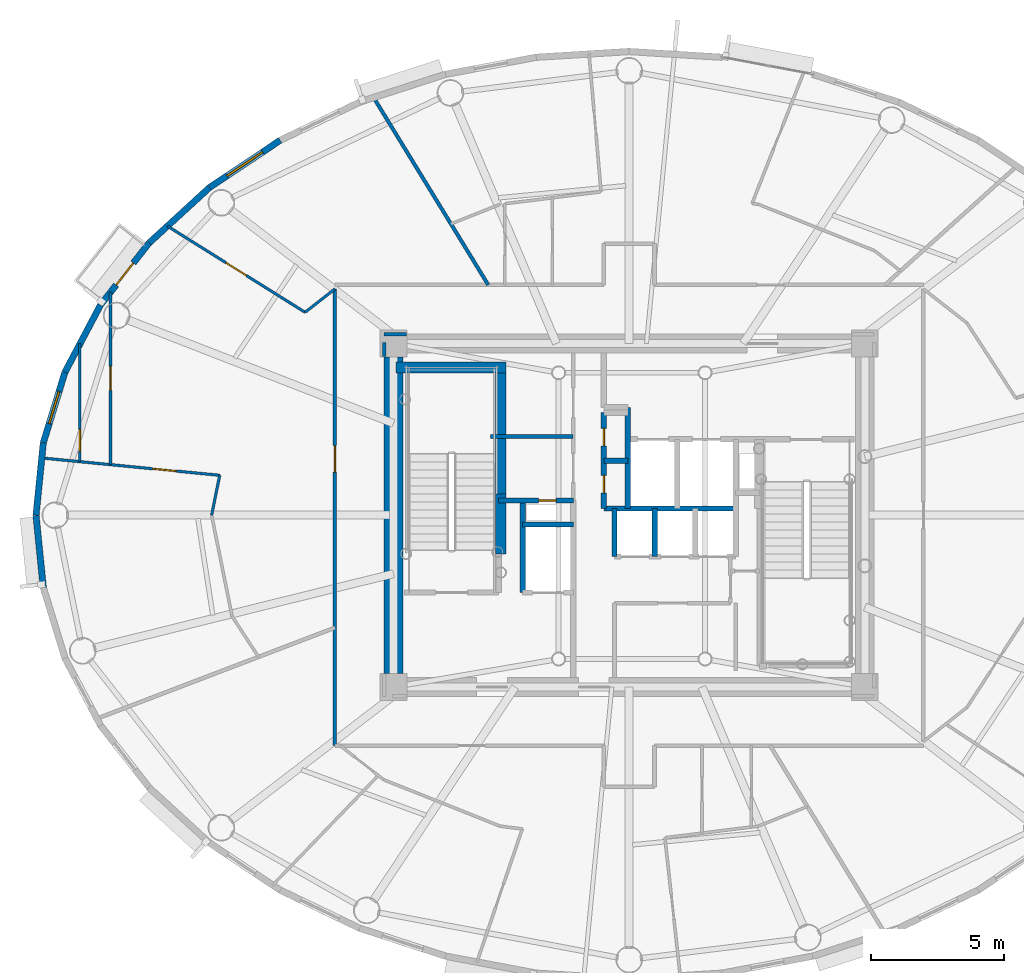
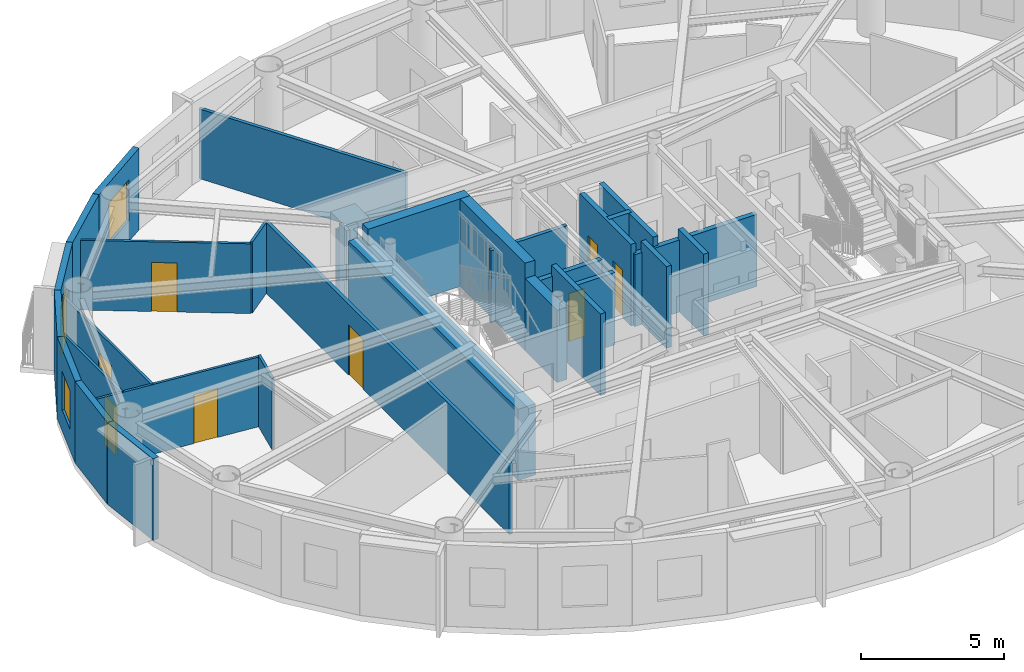
# One storey, part 7 of 17: 31 walls, 9 doors, 2 windows, 11 openings.
"""IFC4 building model written with IfcOpenShell, lengths in metres."""

from ifc_helpers import new_model, si_unit, direction, frame, frame_2d, origin, origin_2d, place, context, subcontext, project, spatial, rectangle, extrude, source, transform, mapped, material, layer, layer_set, type_object, element, fill, save


model = new_model("IFC4")

# Units and contexts
model_context = context("Model", 3, precision=1e-05, world=origin(), true_north=direction((0.0, 1.0)))
body_context = subcontext(model_context, "Body", "Model", "MODEL_VIEW")
ifc_project = project(units=[si_unit("LENGTHUNIT", "METRE"), si_unit("AREAUNIT", "SQUARE_METRE"), si_unit("VOLUMEUNIT", "CUBIC_METRE"), si_unit("PLANEANGLEUNIT", "RADIAN"), si_unit("MASSUNIT", "GRAM", prefix="KILO")], contexts=[model_context])

# Site, building, storey
site_placement = place(None, origin())
site = spatial("IfcSite", under=ifc_project, at=site_placement, CompositionType="ELEMENT")
building_placement = place(site_placement, origin())
building = spatial("IfcBuilding", under=site, at=building_placement, Name="Linh Dai School and Residence Tower", CompositionType="ELEMENT")
storey_placement = place(building_placement, frame((0.0, 0.0, 284.25)))
storey = spatial("IfcBuildingStorey", under=building, at=storey_placement, Name="L70", CompositionType="ELEMENT", Elevation=284.25)

# Wall, opening, window
ifc_material_1 = material(Name="Precast Concrete B45 (C35/45)", Category="concrete")
ifc_layer_1 = layer(ifc_material_1, 0.239990234375)
ifc_layer_set_1 = layer_set([ifc_layer_1], Name="Precast Concrete B45 (C35/45)")
wall_type_1 = type_object("IfcWallType", Name="EW-TC-240", PredefinedType="SOLIDWALL", material=ifc_layer_set_1)
wall_1_placement = place(storey_placement, frame((20.23779296875, 39.30419921875, 0.0), z_axis=(0.0, 0.0, 1.0), x_axis=(0.831250592635, 0.55589787933, 0.0)))
wall_1 = element("IfcWall", 1, at=wall_1_placement, inside=storey, type_object=wall_type_1, Name="L70 Terracotta Exterior Wall 15", PredefinedType="SOLIDWALL", context=body_context, shape_type="SweptSolid", body=[
    extrude(rectangle(XDim=3.197265625, YDim=0.239990234375, at=frame_2d((1.5986328125, 0.0))), origin(), (0.0, 0.0, 1.0), 3.5),
])
opening_1_placement = place(wall_1_placement, frame((0.798583984375, 0.0, 0.89990234375)))
opening_1 = element("IfcOpeningElement", 2, at=opening_1_placement, cuts=wall_1, Name="Opening W2", PredefinedType="OPENING", context=body_context, shape_type="SweptSolid", body=[
    extrude(rectangle(XDim=1.60009765625, YDim=1.75, at=origin_2d()), frame((0.800048828125, 0.1298828125, 0.875), z_axis=(0.0, -1.0, 0.0), x_axis=(1.0, 0.0, 0.0)), (0.0, 0.0, 1.0), 0.260009765625),
])
ifc_material_2 = material(Name="Double Low-E Insulated Glazing", Category="glass")
window_type_1 = type_object("IfcWindowType", Name="WN-RES-1600x1750", PartitioningType="DOUBLE_PANEL_VERTICAL", PredefinedType="WINDOW", material=ifc_material_2)
shared_shape_1 = source(origin(), body_context, "Body", "SweptSolid", [
    extrude(rectangle(XDim=1.60009765625, YDim=1.75, at=origin_2d()), frame((0.800048828125, 0.030029296875, 0.875), z_axis=(0.0, -1.0, 0.0), x_axis=(1.0, 0.0, 0.0)), (0.0, 0.0, 1.0), 0.06005859375),
])
window_1_placement = place(opening_1_placement, origin())
window_1 = element("IfcWindow", 3, at=window_1_placement, inside=storey, type_object=window_type_1, Name="L70 Exterior Window 15.1", OverallHeight=1.75, OverallWidth=1.60009765625, PartitioningType="DOUBLE_PANEL_VERTICAL", PredefinedType="WINDOW", context=body_context, shape_type="MappedRepresentation", body=[
    mapped(shared_shape_1, transform((0.0, 0.0, 0.0), x_axis=(1.0, 0.0, 0.0), y_axis=(0.0, 1.0, 0.0), z_axis=(0.0, 0.0, 1.0), scale=1.0)),
])
fill(opening_1, window_1)

# Wall
wall_2_placement = place(storey_placement, frame((17.9697265625, 37.224609375, 0.0), z_axis=(0.0, 0.0, 1.0), x_axis=(0.737068506972, 0.675818034703, 0.0)))
element("IfcWall", 4, at=wall_2_placement, inside=storey, type_object=wall_type_1, Name="L70 Terracotta Exterior Wall 16", PredefinedType="SOLIDWALL", context=body_context, shape_type="SweptSolid", body=[
    extrude(rectangle(XDim=3.0771484375, YDim=0.239990234375, at=frame_2d((1.53857421875, 0.0))), origin(), (0.0, 0.0, 1.0), 3.5),
])

# Wall, opening, door
wall_3_placement = place(storey_placement, frame((16.146240234375, 34.894775390625, 0.0), z_axis=(0.0, 0.0, 1.0), x_axis=(0.616337186556, 0.787482363275, 0.0)))
wall_3 = element("IfcWall", 5, at=wall_3_placement, inside=storey, type_object=wall_type_1, Name="L70 Terracotta Exterior Wall 17", PredefinedType="SOLIDWALL", context=body_context, shape_type="SweptSolid", body=[
    extrude(rectangle(XDim=2.95849609375, YDim=0.239990234375, at=frame_2d((1.479248046875, 0.0))), origin(), (0.0, 0.0, 1.0), 3.5),
])
opening_2_placement = place(wall_3_placement, frame((0.954345703125, 0.0, 0.0)))
opening_2 = element("IfcOpeningElement", 6, at=opening_2_placement, cuts=wall_3, Name="Opening BD1", PredefinedType="OPENING", context=body_context, shape_type="SweptSolid", body=[
    extrude(rectangle(XDim=1.050048828125, YDim=2.14990234375, at=origin_2d()), frame((0.52490234375, 0.1298828125, 1.074951171875), z_axis=(0.0, -1.0, 0.0), x_axis=(1.0, 0.0, 0.0)), (0.0, 0.0, 1.0), 0.260009765625),
])
ifc_material_3 = material(Name="Double-Glazed Balcony Door", Category="glass")
door_type_1 = type_object("IfcDoorType", Name="DR-BALC-1050x2150", OperationType="NOTDEFINED", PredefinedType="DOOR", material=ifc_material_3)
shared_shape_2 = source(origin(), body_context, "Body", "SweptSolid", [
    extrude(rectangle(XDim=1.050048828125, YDim=2.14990234375, at=origin_2d()), frame((0.52490234375, 0.02490234375, 1.074951171875), z_axis=(0.0, -1.0, 0.0), x_axis=(1.0, 0.0, 0.0)), (0.0, 0.0, 1.0), 0.050048828125),
])
door_1_placement = place(opening_2_placement, origin())
door_1 = element("IfcDoor", 7, at=door_1_placement, inside=storey, type_object=door_type_1, Name="L70 Glazed Balcony Door 17", OperationType="SINGLE_SWING_RIGHT", OverallHeight=2.14990234375, OverallWidth=1.050048828125, PredefinedType="DOOR", context=body_context, shape_type="MappedRepresentation", body=[
    mapped(shared_shape_2, transform((0.0, 0.0, 0.0), x_axis=(1.0, 0.0, 0.0), y_axis=(0.0, 1.0, 0.0), z_axis=(0.0, 0.0, 1.0), scale=1.0)),
])
fill(opening_2, door_1)

# Wall
wall_4_placement = place(storey_placement, frame((14.811767578125, 32.372314453125, 0.0), z_axis=(0.0, 0.0, 1.0), x_axis=(0.467628269026, 0.883925224218, 0.0)))
element("IfcWall", 8, at=wall_4_placement, inside=storey, type_object=wall_type_1, Name="L70 Terracotta Exterior Wall 18", PredefinedType="SOLIDWALL", context=body_context, shape_type="SweptSolid", body=[
    extrude(rectangle(XDim=2.853759765625, YDim=0.239990234375, at=frame_2d((1.4267578125, 0.0))), origin(), (0.0, 0.0, 1.0), 3.5),
])

# Wall, opening, window
wall_5_placement = place(storey_placement, frame((13.998291015625, 29.718994140625, 0.0), z_axis=(0.0, 0.0, 1.0), x_axis=(0.2931213403, 0.956075248012, 0.0)))
wall_5 = element("IfcWall", 9, at=wall_5_placement, inside=storey, type_object=wall_type_1, Name="L70 Terracotta Exterior Wall 19", PredefinedType="SOLIDWALL", context=body_context, shape_type="SweptSolid", body=[
    extrude(rectangle(XDim=2.775146484375, YDim=0.239990234375, at=frame_2d((1.3876953125, 0.0))), origin(), (0.0, 0.0, 1.0), 3.5),
])
opening_3_placement = place(wall_5_placement, frame((0.7626953125, 0.0, 0.89990234375)))
opening_3 = element("IfcOpeningElement", 10, at=opening_3_placement, cuts=wall_5, Name="Opening W3", PredefinedType="OPENING", context=body_context, shape_type="SweptSolid", body=[
    extrude(rectangle(XDim=1.25, YDim=1.64990234375, at=origin_2d()), frame((0.625, 0.1298828125, 0.824951171875), z_axis=(0.0, -1.0, 0.0), x_axis=(1.0, 0.0, 0.0)), (0.0, 0.0, 1.0), 0.260009765625),
])
window_type_2 = type_object("IfcWindowType", Name="WN-RES-1250x1650", PartitioningType="SINGLE_PANEL", PredefinedType="WINDOW", material=ifc_material_2)
shared_shape_3 = source(origin(), body_context, "Body", "SweptSolid", [
    extrude(rectangle(XDim=1.25, YDim=1.64990234375, at=origin_2d()), frame((0.625, 0.030029296875, 0.824951171875), z_axis=(0.0, -1.0, 0.0), x_axis=(1.0, 0.0, 0.0)), (0.0, 0.0, 1.0), 0.06005859375),
])
window_2_placement = place(opening_3_placement, origin())
window_2 = element("IfcWindow", 11, at=window_2_placement, inside=storey, type_object=window_type_2, Name="L70 Exterior Window 19.1", OverallHeight=1.64990234375, OverallWidth=1.25, PartitioningType="SINGLE_PANEL", PredefinedType="WINDOW", context=body_context, shape_type="MappedRepresentation", body=[
    mapped(shared_shape_3, transform((0.0, 0.0, 0.0), x_axis=(1.0, 0.0, 0.0), y_axis=(0.0, 1.0, 0.0), z_axis=(0.0, 0.0, 1.0), scale=1.0)),
])
fill(opening_3, window_2)

# Walls
for number, where, z_axis, x_axis, name in (
    (12, (13.72509765625, 27.0, 0.0), (0.0, 0.0, 1.0), (0.099972526841, 0.99499019788, 0.0), "L70 Terracotta Exterior Wall 20"),
    (13, (13.998291015625, 24.281005859375, 0.0), (0.0, 0.0, 1.0), (-0.099972526841, 0.99499019788, 0.0), "L70 Terracotta Exterior Wall 21"),
):
    element("IfcWall", number, at=place(storey_placement, frame(where, z_axis=z_axis, x_axis=x_axis)), inside=storey, type_object=wall_type_1, Name=name, PredefinedType="SOLIDWALL", context=body_context, shape_type="SweptSolid", body=[
        extrude(rectangle(XDim=2.732666015625, YDim=0.239990234375, at=frame_2d((1.3662109375, 0.0))), origin(), (0.0, 0.0, 1.0), 3.5),
    ])

# Wall, opening, door
ifc_material_4 = material(Name="Autoclaved Aerated Concrete Blockwork", Category="masonry")
ifc_layer_2 = layer(ifc_material_4, 0.135009765625)
ifc_layer_set_2 = layer_set([ifc_layer_2], Name="Autoclaved Aerated Concrete Blockwork")
wall_type_2 = type_object("IfcWallType", Name="IW-CORR-135-EI90", PredefinedType="PARTITIONING", material=ifc_layer_set_2)
wall_6_placement = place(storey_placement, frame((24.949951171875, 18.35009765625, 0.0), z_axis=(0.0, 0.0, 1.0), x_axis=(0.0, 1.0, 0.0)))
wall_6 = element("IfcWall", 14, at=wall_6_placement, inside=storey, type_object=wall_type_2, Name="L70 Interior Partition Wall 011", PredefinedType="PARTITIONING", context=body_context, shape_type="SweptSolid", body=[
    extrude(rectangle(XDim=17.147216796875, YDim=0.135009765625, at=frame_2d((8.57373046875, 0.0))), origin(), (0.0, 0.0, 1.0), 3.034912109375),
])
opening_4_placement = place(wall_6_placement, frame((10.266845703125, 0.0, 0.0)))
opening_4 = element("IfcOpeningElement", 15, at=opening_4_placement, cuts=wall_6, Name="Opening D03", PredefinedType="OPENING", context=body_context, shape_type="SweptSolid", body=[
    extrude(rectangle(XDim=1.0, YDim=2.14990234375, at=origin_2d()), frame((0.5, 0.07763671875, 1.074951171875), z_axis=(0.0, -1.0, 0.0), x_axis=(1.0, 0.0, 0.0)), (0.0, 0.0, 1.0), 0.155029296875),
])
ifc_material_5 = material(Name="Fire-Rated Solid Timber Entrance Door", Category="wood")
door_type_2 = type_object("IfcDoorType", Name="DR-FLAT-1000x2150-FD60S", OperationType="NOTDEFINED", PredefinedType="DOOR", material=ifc_material_5)
shared_shape_4 = source(origin(), body_context, "Body", "SweptSolid", [
    extrude(rectangle(XDim=1.0, YDim=2.14990234375, at=origin_2d()), frame((0.5, 0.02490234375, 1.074951171875), z_axis=(0.0, -1.0, 0.0), x_axis=(1.0, 0.0, 0.0)), (0.0, 0.0, 1.0), 0.050048828125),
])
door_2_placement = place(opening_4_placement, origin())
door_2 = element("IfcDoor", 16, at=door_2_placement, inside=storey, type_object=door_type_2, Name="L70 U7002 Apartment Entrance Door", OperationType="SINGLE_SWING_LEFT", OverallHeight=2.14990234375, OverallWidth=1.0, PredefinedType="DOOR", context=body_context, shape_type="MappedRepresentation", body=[
    mapped(shared_shape_4, transform((0.0, 0.0, 0.0), x_axis=(1.0, 0.0, 0.0), y_axis=(0.0, 1.0, 0.0), z_axis=(0.0, 0.0, 1.0), scale=1.0)),
])
fill(opening_4, door_2)

# Walls
wall_7_placement = place(storey_placement, frame((26.40185546875, 42.687744140625, 0.0), z_axis=(0.0, 0.0, 1.0), x_axis=(0.521891606098, -0.853011812043, 0.0)))
element("IfcWall", 17, at=wall_7_placement, inside=storey, type_object=wall_type_2, Name="L70 Interior Partition Wall 015", PredefinedType="PARTITIONING", context=body_context, shape_type="SweptSolid", body=[
    extrude(rectangle(XDim=8.25048828125, YDim=0.135009765625, at=frame_2d((4.125244140625, 0.0))), origin(), (0.0, 0.0, 1.0), 2.985107421875),
])
wall_8_placement = place(storey_placement, frame((27.639892578125, 33.800048828125, 0.0), z_axis=(0.0, 0.0, 1.0), x_axis=(-1.0, 0.0, 0.0)))
element("IfcWall", 18, at=wall_8_placement, inside=storey, type_object=wall_type_2, Name="L70 Interior Partition Wall 087", PredefinedType="PARTITIONING", context=body_context, shape_type="SweptSolid", body=[
    extrude(rectangle(XDim=0.83984375, YDim=0.135009765625, at=frame_2d((0.419921875, 0.0))), origin(), (0.0, 0.0, 1.0), 3.034912109375),
])
wall_9_placement = place(storey_placement, frame((26.800048828125, 33.492431640625, 0.0), z_axis=(0.0, 0.0, 1.0), x_axis=(0.0, -1.0, 0.0)))
element("IfcWall", 19, at=wall_9_placement, inside=storey, type_object=wall_type_2, Name="L70 Interior Partition Wall 088", PredefinedType="PARTITIONING", context=body_context, shape_type="SweptSolid", body=[
    extrude(rectangle(XDim=0.532470703125, YDim=0.135009765625, at=frame_2d((0.26611328125, 0.0))), origin(), (0.0, 0.0, 1.0), 3.5),
])
ifc_layer_3 = layer(ifc_material_4, 0.14990234375)
ifc_layer_set_3 = layer_set([ifc_layer_3], Name="Autoclaved Aerated Concrete Blockwork")
wall_type_3 = type_object("IfcWallType", Name="IW-SCH-150-EI60", PredefinedType="PARTITIONING", material=ifc_layer_set_3)
wall_10_placement = place(storey_placement, frame((30.800048828125, 29.949951171875, 0.0), z_axis=(0.0, 0.0, 1.0), x_axis=(1.0, 0.0, 0.0)))
element("IfcWall", 20, at=wall_10_placement, inside=storey, type_object=wall_type_3, Name="L70 Interior Partition Wall 020", PredefinedType="PARTITIONING", context=body_context, shape_type="SweptSolid", body=[
    extrude(rectangle(XDim=3.099853515625, YDim=0.14990234375, at=frame_2d((1.5498046875, 0.0))), origin(), (0.0, 0.0, 1.0), 3.0849609375),
])

# Wall, opening, door
ifc_material_6 = material(Name="Concrete B45 (C35/45)", Category="concrete")
ifc_layer_4 = layer(ifc_material_6, 0.199951171875)
ifc_layer_set_4 = layer_set([ifc_layer_4], Name="Concrete B45 (C35/45)")
wall_type_4 = type_object("IfcWallType", Name="IW-SHAFT-200-EI120", PredefinedType="PARTITIONING", material=ifc_layer_set_4)
wall_11_placement = place(storey_placement, frame((31.10009765625, 27.550048828125, 0.0), z_axis=(0.0, 0.0, 1.0), x_axis=(1.0, 0.0, 0.0)))
wall_11 = element("IfcWall", 21, at=wall_11_placement, inside=storey, type_object=wall_type_4, Name="L70 Interior Partition Wall 022", PredefinedType="PARTITIONING", context=body_context, shape_type="SweptSolid", body=[
    extrude(rectangle(XDim=2.7998046875, YDim=0.199951171875, at=frame_2d((1.39990234375, 0.0))), origin(), (0.0, 0.0, 1.0), 3.0849609375),
])
opening_5_placement = place(wall_11_placement, frame((1.5, 0.0, 0.0)))
opening_5 = element("IfcOpeningElement", 22, at=opening_5_placement, cuts=wall_11, Name="Opening AD1", PredefinedType="OPENING", context=body_context, shape_type="SweptSolid", body=[
    extrude(rectangle(XDim=0.659912109375, YDim=2.050048828125, at=origin_2d()), frame((0.330078125, 0.10986328125, 1.02490234375), z_axis=(0.0, -1.0, 0.0), x_axis=(1.0, 0.0, 0.0)), (0.0, 0.0, 1.0), 0.219970703125),
])
ifc_material_7 = material(Name="Fire-Rated Steel Riser Access Door", Category="steel")
door_type_3 = type_object("IfcDoorType", Name="DR-ACC-660x2050-FD90S", OperationType="NOTDEFINED", PredefinedType="USERDEFINED", material=ifc_material_7)
shared_shape_5 = source(origin(), body_context, "Body", "SweptSolid", [
    extrude(rectangle(XDim=0.659912109375, YDim=2.050048828125, at=origin_2d()), frame((0.330078125, 0.02490234375, 1.02490234375), z_axis=(0.0, -1.0, 0.0), x_axis=(1.0, 0.0, 0.0)), (0.0, 0.0, 1.0), 0.050048828125),
])
door_3_placement = place(opening_5_placement, origin())
door_3 = element("IfcDoor", 23, at=door_3_placement, inside=storey, type_object=door_type_3, Name="L70 Main Electrical Riser Access Door", ObjectType="ACCESS DOOR", OperationType="SINGLE_SWING_LEFT", OverallHeight=2.050048828125, OverallWidth=0.659912109375, PredefinedType="USERDEFINED", context=body_context, shape_type="MappedRepresentation", body=[
    mapped(shared_shape_5, transform((0.0, 0.0, 0.0), x_axis=(1.0, 0.0, 0.0), y_axis=(0.0, 1.0, 0.0), z_axis=(0.0, 0.0, 1.0), scale=1.0)),
])
fill(opening_5, door_3)

# Walls
wall_12_placement = place(storey_placement, frame((32.0, 24.10009765625, 0.0), z_axis=(0.0, 0.0, 1.0), x_axis=(0.0, 1.0, 0.0)))
element("IfcWall", 24, at=wall_12_placement, inside=storey, type_object=wall_type_4, Name="L70 Interior Partition Wall 026", PredefinedType="PARTITIONING", context=body_context, shape_type="SweptSolid", body=[
    extrude(rectangle(XDim=3.449951171875, YDim=0.199951171875, at=frame_2d((1.72509765625, 0.0))), origin(), (0.0, 0.0, 1.0), 3.5),
])
wall_13_placement = place(storey_placement, frame((32.0, 26.64990234375, 0.0), z_axis=(0.0, 0.0, 1.0), x_axis=(1.0, 0.0, 0.0)))
element("IfcWall", 25, at=wall_13_placement, inside=storey, type_object=wall_type_4, Name="L70 Interior Partition Wall 028", PredefinedType="PARTITIONING", context=body_context, shape_type="SweptSolid", body=[
    extrude(rectangle(XDim=1.89990234375, YDim=0.199951171875, at=frame_2d((0.949951171875, 0.0))), origin(), (0.0, 0.0, 1.0), 3.0849609375),
])

# Wall, openings, doors
wall_14_placement = place(storey_placement, frame((35.050048828125, 27.25, 0.0), z_axis=(0.0, 0.0, 1.0), x_axis=(0.0, 1.0, 0.0)))
wall_14 = element("IfcWall", 26, at=wall_14_placement, inside=storey, type_object=wall_type_4, Name="L70 Interior Partition Wall 035", PredefinedType="PARTITIONING", context=body_context, shape_type="SweptSolid", body=[
    extrude(rectangle(XDim=3.60009765625, YDim=0.199951171875, at=frame_2d((1.800048828125, 0.0))), origin(), (0.0, 0.0, 1.0), 3.5),
])
opening_6_placement = place(wall_14_placement, frame((0.590087890625, 0.0, 0.0)))
opening_6 = element("IfcOpeningElement", 27, at=opening_6_placement, cuts=wall_14, Name="Opening AD1", PredefinedType="OPENING", context=body_context, shape_type="SweptSolid", body=[
    extrude(rectangle(XDim=0.659912109375, YDim=2.050048828125, at=origin_2d()), frame((0.330078125, 0.10986328125, 1.02490234375), z_axis=(0.0, -1.0, 0.0), x_axis=(1.0, 0.0, 0.0)), (0.0, 0.0, 1.0), 0.219970703125),
])
opening_7_placement = place(wall_14_placement, frame((2.35009765625, 0.0, 0.0)))
opening_7 = element("IfcOpeningElement", 28, at=opening_7_placement, cuts=wall_14, Name="Opening AD1", PredefinedType="OPENING", context=body_context, shape_type="SweptSolid", body=[
    extrude(rectangle(XDim=0.659912109375, YDim=2.050048828125, at=origin_2d()), frame((0.330078125, 0.10986328125, 1.02490234375), z_axis=(0.0, -1.0, 0.0), x_axis=(1.0, 0.0, 0.0)), (0.0, 0.0, 1.0), 0.219970703125),
])
door_4_placement = place(opening_6_placement, origin())
door_4 = element("IfcDoor", 29, at=door_4_placement, inside=storey, type_object=door_type_3, Name="L70 Telecom and Data Riser Access Door", ObjectType="ACCESS DOOR", OperationType="SINGLE_SWING_RIGHT", OverallHeight=2.050048828125, OverallWidth=0.659912109375, PredefinedType="USERDEFINED", context=body_context, shape_type="MappedRepresentation", body=[
    mapped(shared_shape_5, transform((0.0, 0.0, 0.0), x_axis=(1.0, 0.0, 0.0), y_axis=(0.0, 1.0, 0.0), z_axis=(0.0, 0.0, 1.0), scale=1.0)),
])
fill(opening_6, door_4)
door_5_placement = place(opening_7_placement, origin())
door_5 = element("IfcDoor", 30, at=door_5_placement, inside=storey, type_object=door_type_3, Name="L70 Mechanical and Plumbing Riser Access Door", ObjectType="ACCESS DOOR", OperationType="SINGLE_SWING_LEFT", OverallHeight=2.050048828125, OverallWidth=0.659912109375, PredefinedType="USERDEFINED", context=body_context, shape_type="MappedRepresentation", body=[
    mapped(shared_shape_5, transform((0.0, 0.0, 0.0), x_axis=(1.0, 0.0, 0.0), y_axis=(0.0, 1.0, 0.0), z_axis=(0.0, 0.0, 1.0), scale=1.0)),
])
fill(opening_7, door_5)

# Walls
wall_15_placement = place(storey_placement, frame((35.050048828125, 27.25, 0.0), z_axis=(0.0, 0.0, 1.0), x_axis=(1.0, 0.0, 0.0)))
element("IfcWall", 31, at=wall_15_placement, inside=storey, type_object=wall_type_4, Name="L70 Interior Partition Wall 036", PredefinedType="PARTITIONING", context=body_context, shape_type="SweptSolid", body=[
    extrude(rectangle(XDim=4.949951171875, YDim=0.199951171875, at=frame_2d((2.47509765625, 0.0))), origin(), (0.0, 0.0, 1.0), 3.0849609375),
])
wall_16_placement = place(storey_placement, frame((35.050048828125, 29.050048828125, 0.0), z_axis=(0.0, 0.0, 1.0), x_axis=(1.0, 0.0, 0.0)))
element("IfcWall", 32, at=wall_16_placement, inside=storey, type_object=wall_type_4, Name="L70 Interior Partition Wall 037", PredefinedType="PARTITIONING", context=body_context, shape_type="SweptSolid", body=[
    extrude(rectangle(XDim=0.89990234375, YDim=0.199951171875, at=frame_2d((0.449951171875, 0.0))), origin(), (0.0, 0.0, 1.0), 3.5),
])
wall_17_placement = place(storey_placement, frame((35.449951171875, 25.449951171875, 0.0), z_axis=(0.0, 0.0, 1.0), x_axis=(0.0, 1.0, 0.0)))
element("IfcWall", 33, at=wall_17_placement, inside=storey, type_object=wall_type_4, Name="L70 Interior Partition Wall 045", PredefinedType="PARTITIONING", context=body_context, shape_type="SweptSolid", body=[
    extrude(rectangle(XDim=1.800048828125, YDim=0.199951171875, at=frame_2d((0.89990234375, 0.0))), origin(), (0.0, 0.0, 1.0), 3.5),
])
wall_18_placement = place(storey_placement, frame((35.949951171875, 27.25, 0.0), z_axis=(0.0, 0.0, 1.0), x_axis=(0.0, 1.0, 0.0)))
element("IfcWall", 34, at=wall_18_placement, inside=storey, type_object=wall_type_4, Name="L70 Interior Partition Wall 047", PredefinedType="PARTITIONING", context=body_context, shape_type="SweptSolid", body=[
    extrude(rectangle(XDim=3.800048828125, YDim=0.199951171875, at=frame_2d((1.89990234375, 0.0))), origin(), (0.0, 0.0, 1.0), 3.5),
])
wall_19_placement = place(storey_placement, frame((36.9599609375, 25.449951171875, 0.0), z_axis=(0.0, 0.0, 1.0), x_axis=(0.0, 1.0, 0.0)))
element("IfcWall", 35, at=wall_19_placement, inside=storey, type_object=wall_type_4, Name="L70 Interior Partition Wall 053", PredefinedType="PARTITIONING", context=body_context, shape_type="SweptSolid", body=[
    extrude(rectangle(XDim=1.800048828125, YDim=0.199951171875, at=frame_2d((0.89990234375, 0.0))), origin(), (0.0, 0.0, 1.0), 3.5),
])

# Wall, opening, door
ifc_material_8 = material(Name="Gypsum Plasterboard Acoustic Stud Partition", Category="masonry")
ifc_layer_5 = layer(ifc_material_8, 0.10009765625)
ifc_layer_set_5 = layer_set([ifc_layer_5], Name="Gypsum Plasterboard Acoustic Stud Partition")
wall_type_5 = type_object("IfcWallType", Name="IW-UNIT-100", PredefinedType="PARTITIONING", material=ifc_layer_set_5)
wall_20_placement = place(storey_placement, frame((13.936279296875, 29.15087890625, 0.0), z_axis=(0.0, 0.0, 1.0), x_axis=(0.995282339379, -0.097020950936, 0.0)))
wall_20 = element("IfcWall", 36, at=wall_20_placement, inside=storey, type_object=wall_type_5, Name="L70 Interior Partition Wall 001", PredefinedType="PARTITIONING", context=body_context, shape_type="SweptSolid", body=[
    extrude(rectangle(XDim=6.71875, YDim=0.10009765625, at=frame_2d((3.359375, 0.0))), origin(), (0.0, 0.0, 1.0), 2.985107421875),
])
opening_8_placement = place(wall_20_placement, frame((4.187744140625, 0.0, 0.0)))
opening_8 = element("IfcOpeningElement", 37, at=opening_8_placement, cuts=wall_20, Name="Opening D05", PredefinedType="OPENING", context=body_context, shape_type="SweptSolid", body=[
    extrude(rectangle(XDim=0.89990234375, YDim=2.10009765625, at=origin_2d()), frame((0.449951171875, 0.06005859375, 1.050048828125), z_axis=(0.0, -1.0, 0.0), x_axis=(1.0, 0.0, 0.0)), (0.0, 0.0, 1.0), 0.1201171875),
])
ifc_material_9 = material(Name="Engineered Timber Internal Door", Category="wood")
door_type_4 = type_object("IfcDoorType", Name="DR-INT-900x2100", OperationType="NOTDEFINED", PredefinedType="DOOR", material=ifc_material_9)
shared_shape_6 = source(origin(), body_context, "Body", "SweptSolid", [
    extrude(rectangle(XDim=0.89990234375, YDim=2.10009765625, at=origin_2d()), frame((0.449951171875, 0.02490234375, 1.050048828125), z_axis=(0.0, -1.0, 0.0), x_axis=(1.0, 0.0, 0.0)), (0.0, 0.0, 1.0), 0.050048828125),
])
door_6_placement = place(opening_8_placement, origin())
door_6 = element("IfcDoor", 38, at=door_6_placement, inside=storey, type_object=door_type_4, Name="L70 Apartment U7002 Principal Bedroom 2 Door", OperationType="SINGLE_SWING_LEFT", OverallHeight=2.10009765625, OverallWidth=0.89990234375, PredefinedType="DOOR", context=body_context, shape_type="MappedRepresentation", body=[
    mapped(shared_shape_6, transform((0.0, 0.0, 0.0), x_axis=(1.0, 0.0, 0.0), y_axis=(0.0, 1.0, 0.0), z_axis=(0.0, 0.0, 1.0), scale=1.0)),
])
fill(opening_8, door_6)

wall_21_placement = place(storey_placement, frame((15.37109375, 29.010986328125, 0.0), z_axis=(0.0, 0.0, 1.0), x_axis=(0.0, 1.0, 0.0)))
wall_21 = element("IfcWall", 39, at=wall_21_placement, inside=storey, type_object=wall_type_5, Name="L70 Interior Partition Wall 002", PredefinedType="PARTITIONING", context=body_context, shape_type="SweptSolid", body=[
    extrude(rectangle(XDim=4.42919921875, YDim=0.10009765625, at=frame_2d((2.214599609375, 0.0))), origin(), (0.0, 0.0, 1.0), 2.985107421875),
])
opening_9_placement = place(wall_21_placement, frame((0.389404296875, 0.0, 0.0)))
opening_9 = element("IfcOpeningElement", 40, at=opening_9_placement, cuts=wall_21, Name="Opening D06", PredefinedType="OPENING", context=body_context, shape_type="SweptSolid", body=[
    extrude(rectangle(XDim=0.820068359375, YDim=2.10009765625, at=origin_2d()), frame((0.41015625, 0.06005859375, 1.050048828125), z_axis=(0.0, -1.0, 0.0), x_axis=(1.0, 0.0, 0.0)), (0.0, 0.0, 1.0), 0.1201171875),
])
ifc_material_10 = material(Name="Moisture-Resistant Timber Bathroom Door", Category="wood")
door_type_5 = type_object("IfcDoorType", Name="DR-WET-820x2100", OperationType="NOTDEFINED", PredefinedType="DOOR", material=ifc_material_10)
shared_shape_7 = source(origin(), body_context, "Body", "SweptSolid", [
    extrude(rectangle(XDim=0.820068359375, YDim=2.10009765625, at=origin_2d()), frame((0.41015625, 0.02490234375, 1.050048828125), z_axis=(0.0, -1.0, 0.0), x_axis=(1.0, 0.0, 0.0)), (0.0, 0.0, 1.0), 0.050048828125),
])
door_7_placement = place(opening_9_placement, origin())
door_7 = element("IfcDoor", 41, at=door_7_placement, inside=storey, type_object=door_type_5, Name="L70 Apartment U7002 Bathroom 1 Door", OperationType="SINGLE_SWING_LEFT", OverallHeight=2.10009765625, OverallWidth=0.820068359375, PredefinedType="DOOR", context=body_context, shape_type="MappedRepresentation", body=[
    mapped(shared_shape_7, transform((0.0, 0.0, 0.0), x_axis=(1.0, 0.0, 0.0), y_axis=(0.0, 1.0, 0.0), z_axis=(0.0, 0.0, 1.0), scale=1.0)),
])
fill(opening_9, door_7)

wall_22_placement = place(storey_placement, frame((16.5205078125, 28.89892578125, 0.0), z_axis=(0.0, 0.0, 1.0), x_axis=(0.0, 1.0, 0.0)))
wall_22 = element("IfcWall", 42, at=wall_22_placement, inside=storey, type_object=wall_type_5, Name="L70 Interior Partition Wall 004", PredefinedType="PARTITIONING", context=body_context, shape_type="SweptSolid", body=[
    extrude(rectangle(XDim=6.482421875, YDim=0.10009765625, at=frame_2d((3.2412109375, 0.0))), origin(), (0.0, 0.0, 1.0), 2.985107421875),
])
opening_10_placement = place(wall_22_placement, frame((2.791259765625, 0.0, 0.0)))
opening_10 = element("IfcOpeningElement", 43, at=opening_10_placement, cuts=wall_22, Name="Opening D05", PredefinedType="OPENING", context=body_context, shape_type="SweptSolid", body=[
    extrude(rectangle(XDim=0.89990234375, YDim=2.10009765625, at=origin_2d()), frame((0.449951171875, 0.06005859375, 1.050048828125), z_axis=(0.0, -1.0, 0.0), x_axis=(1.0, 0.0, 0.0)), (0.0, 0.0, 1.0), 0.1201171875),
])
door_8_placement = place(opening_10_placement, origin())
door_8 = element("IfcDoor", 44, at=door_8_placement, inside=storey, type_object=door_type_4, Name="L70 Apartment U7002 Kitchen Door", OperationType="SINGLE_SWING_RIGHT", OverallHeight=2.10009765625, OverallWidth=0.89990234375, PredefinedType="DOOR", context=body_context, shape_type="MappedRepresentation", body=[
    mapped(shared_shape_6, transform((0.0, 0.0, 0.0), x_axis=(1.0, 0.0, 0.0), y_axis=(0.0, 1.0, 0.0), z_axis=(0.0, 0.0, 1.0), scale=1.0)),
])
fill(opening_10, door_8)

wall_23_placement = place(storey_placement, frame((18.65576171875, 37.860595703125, 0.0), z_axis=(0.0, 0.0, 1.0), x_axis=(0.847553170054, -0.530710489751, 0.0)))
wall_23 = element("IfcWall", 45, at=wall_23_placement, inside=storey, type_object=wall_type_5, Name="L70 Interior Partition Wall 005", PredefinedType="PARTITIONING", context=body_context, shape_type="SweptSolid", body=[
    extrude(rectangle(XDim=6.10498046875, YDim=0.10009765625, at=frame_2d((3.052490234375, 0.0))), origin(), (0.0, 0.0, 1.0), 2.985107421875),
])
opening_11_placement = place(wall_23_placement, frame((2.6025390625, 0.0, 0.0)))
opening_11 = element("IfcOpeningElement", 46, at=opening_11_placement, cuts=wall_23, Name="Opening D05", PredefinedType="OPENING", context=body_context, shape_type="SweptSolid", body=[
    extrude(rectangle(XDim=0.89990234375, YDim=2.10009765625, at=origin_2d()), frame((0.449951171875, 0.06005859375, 1.050048828125), z_axis=(0.0, -1.0, 0.0), x_axis=(1.0, 0.0, 0.0)), (0.0, 0.0, 1.0), 0.1201171875),
])
door_9_placement = place(opening_11_placement, origin())
door_9 = element("IfcDoor", 47, at=door_9_placement, inside=storey, type_object=door_type_4, Name="L70 Apartment U7002 Principal Bedroom 1 Door", OperationType="SINGLE_SWING_RIGHT", OverallHeight=2.10009765625, OverallWidth=0.89990234375, PredefinedType="DOOR", context=body_context, shape_type="MappedRepresentation", body=[
    mapped(shared_shape_6, transform((0.0, 0.0, 0.0), x_axis=(1.0, 0.0, 0.0), y_axis=(0.0, 1.0, 0.0), z_axis=(0.0, 0.0, 1.0), scale=1.0)),
])
fill(opening_11, door_9)

# Walls
wall_24_placement = place(storey_placement, frame((20.320068359375, 27.0, 0.0), z_axis=(0.0, 0.0, 1.0), x_axis=(0.198264574188, 0.98014853906, 0.0)))
element("IfcWall", 48, at=wall_24_placement, inside=storey, type_object=wall_type_5, Name="L70 Interior Partition Wall 006", PredefinedType="PARTITIONING", context=body_context, shape_type="SweptSolid", body=[
    extrude(rectangle(XDim=1.529296875, YDim=0.10009765625, at=frame_2d((0.7646484375, 0.0))), origin(), (0.0, 0.0, 1.0), 3.034912109375),
])
wall_25_placement = place(storey_placement, frame((23.830078125, 34.62060546875, 0.0), z_axis=(0.0, 0.0, 1.0), x_axis=(0.787407186809, 0.616433226037, 0.0)))
element("IfcWall", 49, at=wall_25_placement, inside=storey, type_object=wall_type_5, Name="L70 Interior Partition Wall 010", PredefinedType="PARTITIONING", context=body_context, shape_type="SweptSolid", body=[
    extrude(rectangle(XDim=1.422119140625, YDim=0.10009765625, at=frame_2d((0.7109375, 0.0))), origin(), (0.0, 0.0, 1.0), 3.034912109375),
])
ifc_layer_6 = layer(ifc_material_6, 0.39990234375)
ifc_layer_set_6 = layer_set([ifc_layer_6], Name="Concrete B45 (C35/45)")
wall_type_6 = type_object("IfcWallType", Name="WL-CORE400", PredefinedType="SHEAR", material=ifc_layer_set_6)
wall_26_placement = place(storey_placement, frame((31.179931640625, 27.800048828125, 0.0), z_axis=(0.0, 0.0, 1.0), x_axis=(0.0, 1.0, 0.0)))
element("IfcWall", 50, at=wall_26_placement, inside=storey, type_object=wall_type_6, Name="L70 Core Stair ST1 Bearing Wall E", PredefinedType="SHEAR", context=body_context, shape_type="SweptSolid", body=[
    extrude(rectangle(XDim=4.75, YDim=0.39990234375, at=frame_2d((2.375, 0.0))), origin(), (0.0, 0.0, 1.0), 3.75),
])
wall_27_placement = place(storey_placement, frame((27.25, 32.550048828125, 0.0), z_axis=(0.0, 0.0, 1.0), x_axis=(1.0, 0.0, 0.0)))
element("IfcWall", 51, at=wall_27_placement, inside=storey, type_object=wall_type_6, Name="L70 Core Stair ST1 Bearing Wall N", PredefinedType="SHEAR", context=body_context, shape_type="SweptSolid", body=[
    extrude(rectangle(XDim=4.1298828125, YDim=0.39990234375, at=frame_2d((2.06494140625, 0.0))), origin(), (0.0, 0.0, 1.0), 3.75),
])
wall_28_placement = place(storey_placement, frame((31.179931640625, 25.550048828125, 0.0), z_axis=(0.0, 0.0, 1.0), x_axis=(0.0, 1.0, 0.0)))
element("IfcWall", 52, at=wall_28_placement, inside=storey, type_object=wall_type_6, Name="L70 Internal Core Shear Wall IW", PredefinedType="SHEAR", context=body_context, shape_type="SweptSolid", body=[
    extrude(rectangle(XDim=2.25, YDim=0.39990234375, at=frame_2d((1.125, 0.0))), origin(), (0.0, 0.0, 1.0), 3.10009765625),
])
ifc_layer_7 = layer(ifc_material_6, 0.699951171875)
ifc_layer_set_7 = layer_set([ifc_layer_7], Name="Concrete B45 (C35/45)")
wall_type_7 = type_object("IfcWallType", Name="WL-CORE700", PredefinedType="SHEAR", material=ifc_layer_set_7)
wall_29_placement = place(storey_placement, frame((27.14990234375, 21.050048828125, 0.0), z_axis=(0.0, 0.0, 1.0), x_axis=(0.0, 1.0, 0.0)))
element("IfcWall", 53, at=wall_29_placement, inside=storey, type_object=wall_type_7, Name="L70 Central Core Shear Wall W", PredefinedType="SHEAR", context=body_context, shape_type="SweptSolid", body=[
    extrude(rectangle(XDim=11.89990234375, YDim=0.699951171875, at=frame_2d((5.949951171875, 0.0))), origin(), (0.0, 0.0, 1.0), 3.050048828125),
])

save(model, "model.ifc")
